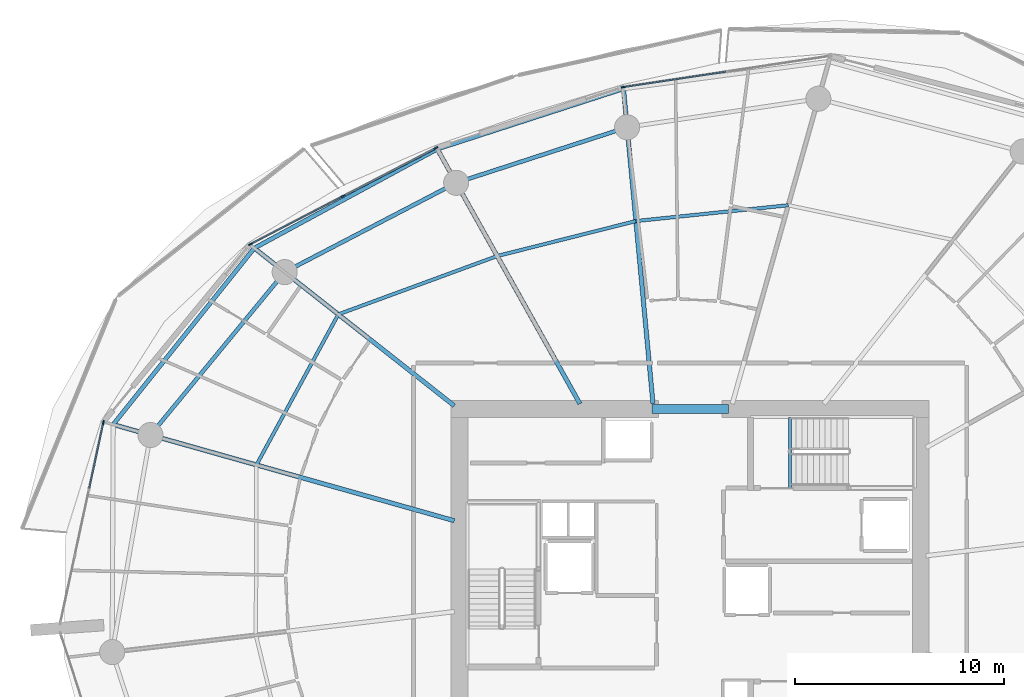
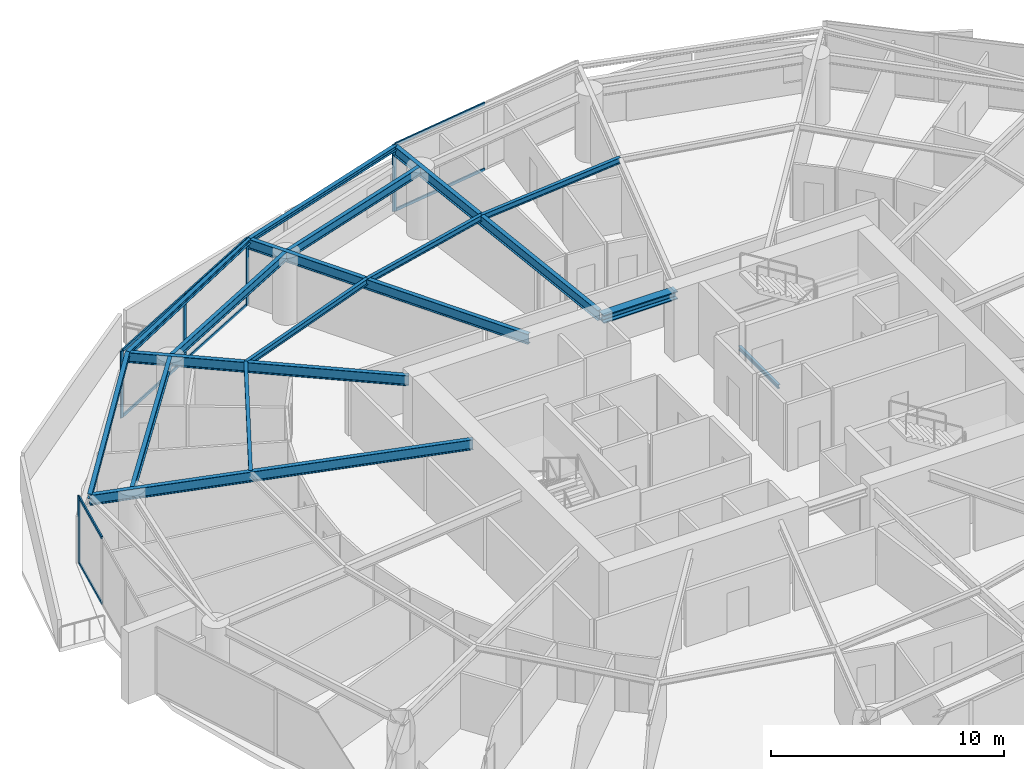
# One storey, part 8 of 23: 16 beams, 13 members, 3 elements without a shape of their own.
"""IFC4 building model written with IfcOpenShell, lengths in metres."""

from ifc_helpers import new_model, si_unit, direction, frame, origin, origin_2d, place, context, subcontext, project, spatial, rectangle, i_section, extrude, material, layer, layer_set, material_profile, profile_set, type_object, element, aggregate, save


model = new_model("IFC4")

# Units and contexts
model_context = context("Model", 3, precision=1e-05, world=origin(), true_north=direction((0.0, 1.0)))
body_context = subcontext(model_context, "Body", "Model", "MODEL_VIEW")
ifc_project = project(units=[si_unit("LENGTHUNIT", "METRE"), si_unit("AREAUNIT", "SQUARE_METRE"), si_unit("VOLUMEUNIT", "CUBIC_METRE"), si_unit("PLANEANGLEUNIT", "RADIAN"), si_unit("MASSUNIT", "GRAM", prefix="KILO")], contexts=[model_context])

# Site, building, storey
site_placement = place(None, origin())
site = spatial("IfcSite", under=ifc_project, at=site_placement, CompositionType="ELEMENT")
building_placement = place(site_placement, origin())
building = spatial("IfcBuilding", under=site, at=building_placement, Name="Kazma Halo Residences", CompositionType="ELEMENT")
storey_placement = place(building_placement, frame((0.0, 0.0, 78.89990234375)))
storey = spatial("IfcBuildingStorey", under=building, at=storey_placement, Name="L19", CompositionType="ELEMENT", Elevation=78.89990234375)

# Beams
ifc_material_1 = material(Name="Steel S355", Category="steel")
ifc_material_profile_1 = material_profile(ifc_material_1, i_section(OverallWidth=0.201904296875, OverallDepth=0.2470703125, WebThickness=0.00732421875, FlangeThickness=0.010986328125, FilletRadius=0.011962890625, at=origin_2d()), Name="W250x49.1")
ifc_profile_set_1 = profile_set([ifc_material_profile_1], Name="Steel S355")
beam_type_1 = type_object("IfcBeamType", Name="BM-BAL-CANT", PredefinedType="BEAM", material=ifc_profile_set_1)
beam_1_placement = place(storey_placement, frame((45.239013671875, 65.7109375, 3.376708984375), z_axis=(-0.951364037255, -0.308068934846, 0.0), x_axis=(0.308068934846, -0.951364037255, 0.0)))
element("IfcBeam", 1, at=beam_1_placement, inside=storey, type_object=beam_type_1, Name="L19 wave-balcony tie beam 04", PredefinedType="BEAM", context=body_context, shape_type="SweptSolid", body=[
    extrude(i_section(OverallWidth=0.201904296875, OverallDepth=0.2470703125, WebThickness=0.00732421875, FlangeThickness=0.010986328125, FilletRadius=0.011962890625, at=origin_2d()), origin(), (0.0, 0.0, 1.0), 9.3583984375),
])
beam_2_placement = place(storey_placement, frame((36.335693359375, 62.827880859375, 3.376708984375), z_axis=(-0.87930438671, -0.476260218276, 0.0), x_axis=(0.476260218276, -0.87930438671, 0.0)))
element("IfcBeam", 2, at=beam_2_placement, inside=storey, type_object=beam_type_1, Name="L19 wave-balcony tie beam 05", PredefinedType="BEAM", context=body_context, shape_type="SweptSolid", body=[
    extrude(i_section(OverallWidth=0.201904296875, OverallDepth=0.2470703125, WebThickness=0.00732421875, FlangeThickness=0.010986328125, FilletRadius=0.011962890625, at=origin_2d()), origin(), (0.0, 0.0, 1.0), 9.94677734375),
])
beam_3_placement = place(storey_placement, frame((27.58935546875, 58.090576171875, 3.376708984375), z_axis=(-0.62477775999, -0.78080263231, 0.0), x_axis=(0.78080263231, -0.62477775999, 0.0)))
element("IfcBeam", 3, at=beam_3_placement, inside=storey, type_object=beam_type_1, Name="L19 wave-balcony tie beam 06", PredefinedType="BEAM", context=body_context, shape_type="SweptSolid", body=[
    extrude(i_section(OverallWidth=0.201904296875, OverallDepth=0.2470703125, WebThickness=0.00732421875, FlangeThickness=0.010986328125, FilletRadius=0.011962890625, at=origin_2d()), origin(), (0.0, 0.0, 1.0), 10.79833984375),
])
ifc_material_profile_2 = material_profile(ifc_material_1, i_section(OverallWidth=0.408935546875, OverallDepth=0.425048828125, WebThickness=0.03271484375, FlangeThickness=0.052490234375, FilletRadius=0.02001953125, at=origin_2d()), Name="W360x421")
ifc_profile_set_2 = profile_set([ifc_material_profile_2], Name="Steel S355")
beam_type_2 = type_object("IfcBeamType", Name="BM-CORE-W360H", PredefinedType="BEAM", material=ifc_profile_set_2)
beam_4_placement = place(storey_placement, frame((46.60009765625, 50.39990234375, 3.28759765625), z_axis=(1.0, 0.0, 0.0), x_axis=(0.0, 1.0, 0.0)))
element("IfcBeam", 4, at=beam_4_placement, inside=storey, type_object=beam_type_2, Name="L19 core coupling beam N", PredefinedType="BEAM", context=body_context, shape_type="SweptSolid", body=[
    extrude(i_section(OverallWidth=0.408935546875, OverallDepth=0.425048828125, WebThickness=0.03271484375, FlangeThickness=0.052490234375, FilletRadius=0.02001953125, at=origin_2d()), origin(), (0.0, 0.0, 1.0), 3.64990234375),
])
ifc_material_profile_3 = material_profile(ifc_material_1, i_section(OverallWidth=0.208984375, OverallDepth=0.532958984375, WebThickness=0.01025390625, FlangeThickness=0.015625, FilletRadius=0.01611328125, at=origin_2d()), Name="W530x92")
ifc_profile_set_3 = profile_set([ifc_material_profile_3], Name="Steel S355")
beam_type_3 = type_object("IfcBeamType", Name="BM-RAD-W530", PredefinedType="BEAM", material=ifc_profile_set_3)
beam_5_placement = place(storey_placement, frame((46.64990234375, 50.64990234375, 3.233642578125), z_axis=(-0.093269713752, 0.995640879282, 0.0), x_axis=(-0.995640879282, -0.093269713752, 0.0)))
element("IfcBeam", 5, at=beam_5_placement, inside=storey, type_object=beam_type_3, Name="L19 radial floor beam 04", PredefinedType="BEAM", context=body_context, shape_type="SweptSolid", body=[
    extrude(i_section(OverallWidth=0.208984375, OverallDepth=0.532958984375, WebThickness=0.01025390625, FlangeThickness=0.015625, FilletRadius=0.01611328125, at=origin_2d()), origin(), (0.0, 0.0, 1.0), 15.126953125),
])
beam_6_placement = place(storey_placement, frame((43.15576171875, 50.64990234375, 3.233642578125), z_axis=(-0.488625206529, 0.872493786536, 0.0), x_axis=(-0.872493786536, -0.488625206529, 0.0)))
element("IfcBeam", 6, at=beam_6_placement, inside=storey, type_object=beam_type_3, Name="L19 radial floor beam 05", PredefinedType="BEAM", context=body_context, shape_type="SweptSolid", body=[
    extrude(i_section(OverallWidth=0.208984375, OverallDepth=0.532958984375, WebThickness=0.01025390625, FlangeThickness=0.015625, FilletRadius=0.01611328125, at=origin_2d()), origin(), (0.0, 0.0, 1.0), 13.957763671875),
])
beam_7_placement = place(storey_placement, frame((37.14990234375, 50.553466796875, 3.233642578125), z_axis=(-0.785309664997, 0.619103165929, 0.0), x_axis=(-0.619103165929, -0.785309664997, 0.0)))
element("IfcBeam", 7, at=beam_7_placement, inside=storey, type_object=beam_type_3, Name="L19 radial floor beam 06", PredefinedType="BEAM", context=body_context, shape_type="SweptSolid", body=[
    extrude(i_section(OverallWidth=0.208984375, OverallDepth=0.532958984375, WebThickness=0.01025390625, FlangeThickness=0.015625, FilletRadius=0.01611328125, at=origin_2d()), origin(), (0.0, 0.0, 1.0), 12.17431640625),
])
beam_8_placement = place(storey_placement, frame((37.14990234375, 45.06005859375, 3.233642578125), z_axis=(-0.962454695383, 0.271442368351, 0.0), x_axis=(-0.271442368351, -0.962454695383, 0.0)))
element("IfcBeam", 8, at=beam_8_placement, inside=storey, type_object=beam_type_3, Name="L19 radial floor beam 07", PredefinedType="BEAM", context=body_context, shape_type="SweptSolid", body=[
    extrude(i_section(OverallWidth=0.208984375, OverallDepth=0.532958984375, WebThickness=0.01025390625, FlangeThickness=0.015625, FilletRadius=0.01611328125, at=origin_2d()), origin(), (0.0, 0.0, 1.0), 16.943359375),
])
ifc_material_profile_4 = material_profile(ifc_material_1, i_section(OverallWidth=0.1650390625, OverallDepth=0.31005859375, WebThickness=0.005859375, FlangeThickness=0.009765625, FilletRadius=0.011962890625, at=origin_2d()), Name="W310x38.7")
ifc_profile_set_4 = profile_set([ifc_material_profile_4], Name="Steel S355")
beam_type_4 = type_object("IfcBeamType", Name="BM-SEC-W310B", PredefinedType="JOIST", material=ifc_profile_set_4)
beam_9_placement = place(storey_placement, frame((53.116455078125, 60.1416015625, 3.34521484375), z_axis=(-0.994656912508, -0.103235780624, 0.0), x_axis=(0.103235780624, -0.994656912508, 0.0)))
element("IfcBeam", 9, at=beam_9_placement, inside=storey, type_object=beam_type_4, Name="L19 circumferential floor joist 03", PredefinedType="JOIST", context=body_context, shape_type="SweptSolid", body=[
    extrude(i_section(OverallWidth=0.1650390625, OverallDepth=0.31005859375, WebThickness=0.005859375, FlangeThickness=0.009765625, FilletRadius=0.011962890625, at=origin_2d()), origin(), (0.0, 0.0, 1.0), 7.323974609375),
])
beam_10_placement = place(storey_placement, frame((45.83154296875, 59.385498046875, 3.34521484375), z_axis=(-0.969640662449, -0.244534221993, 0.0), x_axis=(0.244534221993, -0.969640662449, 0.0)))
element("IfcBeam", 10, at=beam_10_placement, inside=storey, type_object=beam_type_4, Name="L19 circumferential floor joist 04", PredefinedType="JOIST", context=body_context, shape_type="SweptSolid", body=[
    extrude(i_section(OverallWidth=0.1650390625, OverallDepth=0.31005859375, WebThickness=0.005859375, FlangeThickness=0.009765625, FilletRadius=0.011962890625, at=origin_2d()), origin(), (0.0, 0.0, 1.0), 6.8388671875),
])
beam_11_placement = place(storey_placement, frame((39.2001953125, 57.713134765625, 3.34521484375), z_axis=(-0.93875304644, -0.344590652513, 0.0), x_axis=(0.344590652513, -0.93875304644, 0.0)))
element("IfcBeam", 11, at=beam_11_placement, inside=storey, type_object=beam_type_4, Name="L19 circumferential floor joist 05", PredefinedType="JOIST", context=body_context, shape_type="SweptSolid", body=[
    extrude(i_section(OverallWidth=0.1650390625, OverallDepth=0.31005859375, WebThickness=0.005859375, FlangeThickness=0.009765625, FilletRadius=0.011962890625, at=origin_2d()), origin(), (0.0, 0.0, 1.0), 8.091064453125),
])
beam_12_placement = place(storey_placement, frame((31.604736328125, 54.925048828125, 3.34521484375), z_axis=(-0.477621844446, -0.878565520441, 0.0), x_axis=(0.878565520441, -0.477621844446, 0.0)))
element("IfcBeam", 12, at=beam_12_placement, inside=storey, type_object=beam_type_4, Name="L19 circumferential floor joist 06", PredefinedType="JOIST", context=body_context, shape_type="SweptSolid", body=[
    extrude(i_section(OverallWidth=0.1650390625, OverallDepth=0.31005859375, WebThickness=0.005859375, FlangeThickness=0.009765625, FilletRadius=0.011962890625, at=origin_2d()), origin(), (0.0, 0.0, 1.0), 8.1923828125),
])
ifc_material_profile_5 = material_profile(ifc_material_1, i_section(OverallWidth=0.18994140625, OverallDepth=0.45703125, WebThickness=0.009033203125, FlangeThickness=0.014404296875, FilletRadius=0.01611328125, at=origin_2d()), Name="W460x74")
ifc_profile_set_5 = profile_set([ifc_material_profile_5], Name="Steel S355")
beam_type_5 = type_object("IfcBeamType", Name="BM-SPN-W460", PredefinedType="BEAM", material=ifc_profile_set_5)
beam_13_placement = place(storey_placement, frame((45.41162109375, 63.869140625, 3.271484375), z_axis=(-0.951054111927, -0.30902439416, 0.0), x_axis=(0.30902439416, -0.951054111927, 0.0)))
element("IfcBeam", 13, at=beam_13_placement, inside=storey, type_object=beam_type_5, Name="L19 perimeter ring beam 04", PredefinedType="BEAM", context=body_context, shape_type="SweptSolid", body=[
    extrude(i_section(OverallWidth=0.18994140625, OverallDepth=0.45703125, WebThickness=0.009033203125, FlangeThickness=0.014404296875, FilletRadius=0.01611328125, at=origin_2d()), origin(), (0.0, 0.0, 1.0), 8.592529296875),
])
beam_14_placement = place(storey_placement, frame((37.23974609375, 61.2138671875, 3.271484375), z_axis=(-0.886963229644, -0.461840047266, 0.0), x_axis=(0.461840047266, -0.886963229644, 0.0)))
element("IfcBeam", 14, at=beam_14_placement, inside=storey, type_object=beam_type_5, Name="L19 perimeter ring beam 05", PredefinedType="BEAM", context=body_context, shape_type="SweptSolid", body=[
    extrude(i_section(OverallWidth=0.18994140625, OverallDepth=0.45703125, WebThickness=0.009033203125, FlangeThickness=0.014404296875, FilletRadius=0.01611328125, at=origin_2d()), origin(), (0.0, 0.0, 1.0), 9.242431640625),
])
beam_15_placement = place(storey_placement, frame((29.0419921875, 56.9453125, 3.271484375), z_axis=(-0.635989564566, -0.771697656963, 0.0), x_axis=(0.771697656963, -0.635989564566, 0.0)))
element("IfcBeam", 15, at=beam_15_placement, inside=storey, type_object=beam_type_5, Name="L19 perimeter ring beam 06", PredefinedType="BEAM", context=body_context, shape_type="SweptSolid", body=[
    extrude(i_section(OverallWidth=0.18994140625, OverallDepth=0.45703125, WebThickness=0.009033203125, FlangeThickness=0.014404296875, FilletRadius=0.01611328125, at=origin_2d()), origin(), (0.0, 0.0, 1.0), 10.092529296875),
])
ifc_material_profile_6 = material_profile(ifc_material_1, i_section(OverallWidth=0.133056640625, OverallDepth=0.20703125, WebThickness=0.005859375, FlangeThickness=0.00830078125, FilletRadius=0.010009765625, at=origin_2d()), Name="W200x26.6")
ifc_profile_set_6 = profile_set([ifc_material_profile_6], Name="Steel S355")
beam_type_6 = type_object("IfcBeamType", Name="BM-TRIM-W200", PredefinedType="BEAM", material=ifc_profile_set_6)
beam_16_placement = place(storey_placement, frame((53.199951171875, 46.6201171875, -0.35986328125), z_axis=(0.0, 1.0, 0.0), x_axis=(-1.0, 0.0, 0.0)))
element("IfcBeam", 16, at=beam_16_placement, inside=storey, type_object=beam_type_6, Name="L19 ST-02 floor landing support beam", PredefinedType="BEAM", context=body_context, shape_type="SweptSolid", body=[
    extrude(i_section(OverallWidth=0.133056640625, OverallDepth=0.20703125, WebThickness=0.005859375, FlangeThickness=0.00830078125, FilletRadius=0.010009765625, at=origin_2d()), origin(), (0.0, 0.0, 1.0), 3.3798828125),
])

# Curtain wall, member
ifc_material_2 = material(Name="Aluminium AW-6063 T6 and Triple-Silver Low-E Glass", Category="aluminium")
ifc_layer = layer(ifc_material_2, 0.199951171875)
ifc_layer_set = layer_set([ifc_layer], Name="Aluminium AW-6063 T6 and Triple-Silver Low-E Glass")
curtain_wall_type = type_object("IfcCurtainWallType", Name="CW-SYS-3", PredefinedType="NOTDEFINED", material=ifc_layer_set)
curtain_wall_1_placement = place(storey_placement, origin())
curtain_wall_1 = element("IfcCurtainWall", 17, at=curtain_wall_1_placement, inside=storey, type_object=curtain_wall_type, Name="L19 unitised curtain wall B03", PredefinedType="NOTDEFINED")
ifc_material_3 = material(Name="Aluminium AW-6063 T6", Category="aluminium")
ifc_material_profile_7 = material_profile(ifc_material_3, rectangle(XDim=0.070068359375, YDim=0.199951171875, at=origin_2d()), Name="CWM-70x200")
ifc_profile_set_7 = profile_set([ifc_material_profile_7], Name="Aluminium AW-6063 T6")
member_type_1 = type_object("IfcMemberType", Name="CW-SYS-3-MUL", PredefinedType="MULLION", material=ifc_profile_set_7)
member_1_placement = place(storey_placement, frame((45.219970703125, 65.78662109375, 0.0), z_axis=(0.0, 0.0, 1.0), x_axis=(0.148717330409, -0.988879747814, 0.0)))
member_1 = element("IfcMember", 18, at=member_1_placement, type_object=member_type_1, Name="CWS-3 mullion 3", PredefinedType="MULLION", context=body_context, shape_type="SweptSolid", body=[
    extrude(rectangle(XDim=0.070068359375, YDim=0.199951171875, at=origin_2d()), origin(), (0.0, 0.0, 1.0), 3.5),
])

# Curtain wall, members
curtain_wall_2_placement = place(storey_placement, origin())
curtain_wall_2 = element("IfcCurtainWall", 19, at=curtain_wall_2_placement, inside=storey, type_object=curtain_wall_type, Name="L19 unitised curtain wall B05", PredefinedType="NOTDEFINED")
member_2_placement = place(storey_placement, frame((36.267822265625, 62.8779296875, 0.0), z_axis=(0.0, 0.0, 1.0), x_axis=(0.460932159481, -0.887435374749, 0.0)))
member_2 = element("IfcMember", 20, at=member_2_placement, type_object=member_type_1, Name="CWS-3 mullion 1", PredefinedType="MULLION", context=body_context, shape_type="SweptSolid", body=[
    extrude(rectangle(XDim=0.070068359375, YDim=0.199951171875, at=origin_2d()), origin(), (0.0, 0.0, 1.0), 3.5),
])
member_3_placement = place(storey_placement, frame((31.8369140625, 60.57666015625, 0.0), z_axis=(0.0, 0.0, 1.0), x_axis=(0.460932159481, -0.887435374749, 0.0)))
member_3 = element("IfcMember", 21, at=member_3_placement, type_object=member_type_1, Name="CWS-3 mullion 2", PredefinedType="MULLION", context=body_context, shape_type="SweptSolid", body=[
    extrude(rectangle(XDim=0.070068359375, YDim=0.199951171875, at=origin_2d()), origin(), (0.0, 0.0, 1.0), 3.5),
])
member_4_placement = place(storey_placement, frame((27.40625, 58.275390625, 0.0), z_axis=(0.0, 0.0, 1.0), x_axis=(0.460932159481, -0.887435374749, 0.0)))
member_4 = element("IfcMember", 22, at=member_4_placement, type_object=member_type_1, Name="CWS-3 mullion 3", PredefinedType="MULLION", context=body_context, shape_type="SweptSolid", body=[
    extrude(rectangle(XDim=0.070068359375, YDim=0.199951171875, at=origin_2d()), origin(), (0.0, 0.0, 1.0), 3.5),
])

# Curtain wall, member
curtain_wall_3_placement = place(storey_placement, origin())
curtain_wall_3 = element("IfcCurtainWall", 23, at=curtain_wall_3_placement, inside=storey, type_object=curtain_wall_type, Name="L19 unitised curtain wall B07", PredefinedType="NOTDEFINED")
member_5_placement = place(storey_placement, frame((20.3740234375, 49.755126953125, 0.0), z_axis=(0.0, 0.0, 1.0), x_axis=(0.977774176093, -0.209660822677, 0.0)))
member_5 = element("IfcMember", 24, at=member_5_placement, type_object=member_type_1, Name="CWS-3 mullion 1", PredefinedType="MULLION", context=body_context, shape_type="SweptSolid", body=[
    extrude(rectangle(XDim=0.070068359375, YDim=0.199951171875, at=origin_2d()), origin(), (0.0, 0.0, 1.0), 3.5),
])

# Member
ifc_material_profile_8 = material_profile(ifc_material_3, rectangle(XDim=0.070068359375, YDim=0.14990234375, at=origin_2d()), Name="CWT-70x150")
ifc_profile_set_8 = profile_set([ifc_material_profile_8], Name="Aluminium AW-6063 T6")
member_type_2 = type_object("IfcMemberType", Name="CW-SYS-3-TRN", PredefinedType="USERDEFINED", material=ifc_profile_set_8)
member_6_placement = place(storey_placement, frame((50.12255859375, 66.52392578125, 0.03515625), z_axis=(-0.988884271372, -0.148687248386, 0.0), x_axis=(0.148687248386, -0.988884271372, 0.0)))
member_6 = element("IfcMember", 25, at=member_6_placement, type_object=member_type_2, Name="CWS-3 transom 2.1", ObjectType="TRANSOM", PredefinedType="USERDEFINED", context=body_context, shape_type="SweptSolid", body=[
    extrude(rectangle(XDim=0.070068359375, YDim=0.14990234375, at=origin_2d()), origin(), (0.0, 0.0, 1.0), 4.922607421875),
])

member_7_placement = place(storey_placement, frame((50.12255859375, 66.52392578125, 3.465087890625), z_axis=(-0.988884271372, -0.148687248386, 0.0), x_axis=(0.148687248386, -0.988884271372, 0.0)))
member_7 = element("IfcMember", 26, at=member_7_placement, type_object=member_type_2, Name="CWS-3 transom 2.2", ObjectType="TRANSOM", PredefinedType="USERDEFINED", context=body_context, shape_type="SweptSolid", body=[
    extrude(rectangle(XDim=0.070068359375, YDim=0.14990234375, at=origin_2d()), origin(), (0.0, 0.0, 1.0), 4.922607421875),
])

aggregate(curtain_wall_1, [member_1, member_6, member_7])

member_8_placement = place(storey_placement, frame((36.236572265625, 62.86181640625, 0.03515625), z_axis=(-0.887427024944, -0.460948235054, 0.0), x_axis=(0.460948235054, -0.887427024944, 0.0)))
member_8 = element("IfcMember", 27, at=member_8_placement, type_object=member_type_2, Name="CWS-3 transom 1.1", ObjectType="TRANSOM", PredefinedType="USERDEFINED", context=body_context, shape_type="SweptSolid", body=[
    extrude(rectangle(XDim=0.070068359375, YDim=0.14990234375, at=origin_2d()), origin(), (0.0, 0.0, 1.0), 4.922607421875),
])

member_9_placement = place(storey_placement, frame((36.236572265625, 62.86181640625, 3.465087890625), z_axis=(-0.887427024944, -0.460948235054, 0.0), x_axis=(0.460948235054, -0.887427024944, 0.0)))
member_9 = element("IfcMember", 28, at=member_9_placement, type_object=member_type_2, Name="CWS-3 transom 1.2", ObjectType="TRANSOM", PredefinedType="USERDEFINED", context=body_context, shape_type="SweptSolid", body=[
    extrude(rectangle(XDim=0.070068359375, YDim=0.14990234375, at=origin_2d()), origin(), (0.0, 0.0, 1.0), 4.922607421875),
])

member_10_placement = place(storey_placement, frame((31.805908203125, 60.560546875, 0.03515625), z_axis=(-0.887437562141, -0.460927948058, 0.0), x_axis=(0.460927948058, -0.887437562141, 0.0)))
member_10 = element("IfcMember", 29, at=member_10_placement, type_object=member_type_2, Name="CWS-3 transom 2.1", ObjectType="TRANSOM", PredefinedType="USERDEFINED", context=body_context, shape_type="SweptSolid", body=[
    extrude(rectangle(XDim=0.070068359375, YDim=0.14990234375, at=origin_2d()), origin(), (0.0, 0.0, 1.0), 4.9228515625),
])

member_11_placement = place(storey_placement, frame((31.805908203125, 60.560546875, 3.465087890625), z_axis=(-0.887437562141, -0.460927948058, 0.0), x_axis=(0.460927948058, -0.887437562141, 0.0)))
member_11 = element("IfcMember", 30, at=member_11_placement, type_object=member_type_2, Name="CWS-3 transom 2.2", ObjectType="TRANSOM", PredefinedType="USERDEFINED", context=body_context, shape_type="SweptSolid", body=[
    extrude(rectangle(XDim=0.070068359375, YDim=0.14990234375, at=origin_2d()), origin(), (0.0, 0.0, 1.0), 4.9228515625),
])

aggregate(curtain_wall_2, [member_2, member_3, member_4, member_8, member_9, member_10, member_11])

member_12_placement = place(storey_placement, frame((20.36669921875, 49.720947265625, 0.03515625), z_axis=(-0.209702197956, -0.977765303216, 0.0), x_axis=(0.977765303216, -0.209702197956, 0.0)))
member_12 = element("IfcMember", 31, at=member_12_placement, type_object=member_type_2, Name="CWS-3 transom 1.1", ObjectType="TRANSOM", PredefinedType="USERDEFINED", context=body_context, shape_type="SweptSolid", body=[
    extrude(rectangle(XDim=0.070068359375, YDim=0.14990234375, at=origin_2d()), origin(), (0.0, 0.0, 1.0), 3.17822265625),
])

member_13_placement = place(storey_placement, frame((20.36669921875, 49.720947265625, 3.465087890625), z_axis=(-0.209702197956, -0.977765303216, 0.0), x_axis=(0.977765303216, -0.209702197956, 0.0)))
member_13 = element("IfcMember", 32, at=member_13_placement, type_object=member_type_2, Name="CWS-3 transom 1.2", ObjectType="TRANSOM", PredefinedType="USERDEFINED", context=body_context, shape_type="SweptSolid", body=[
    extrude(rectangle(XDim=0.070068359375, YDim=0.14990234375, at=origin_2d()), origin(), (0.0, 0.0, 1.0), 3.17822265625),
])

aggregate(curtain_wall_3, [member_5, member_12, member_13])

save(model, "model.ifc")
